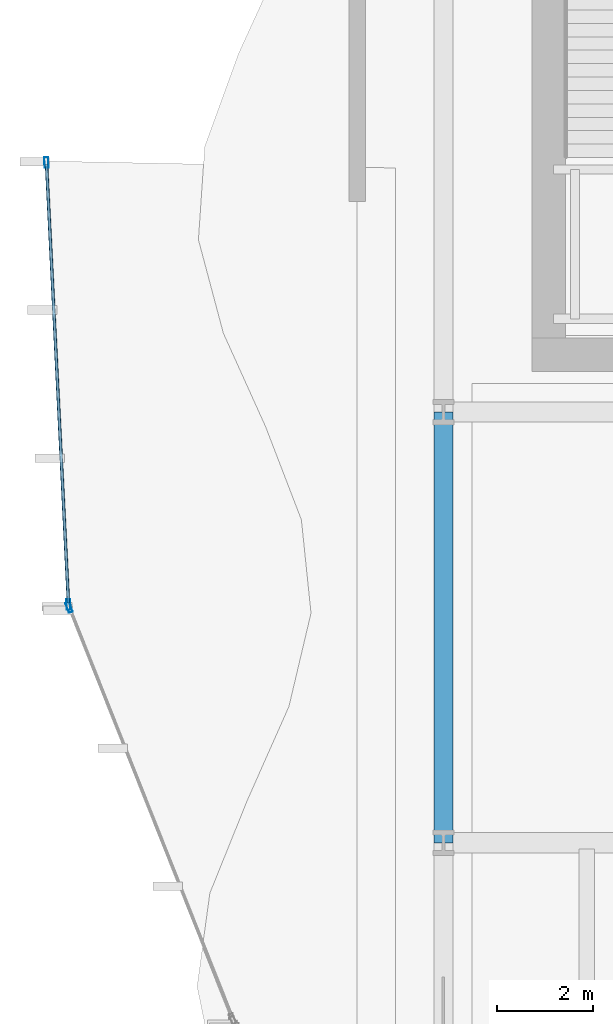
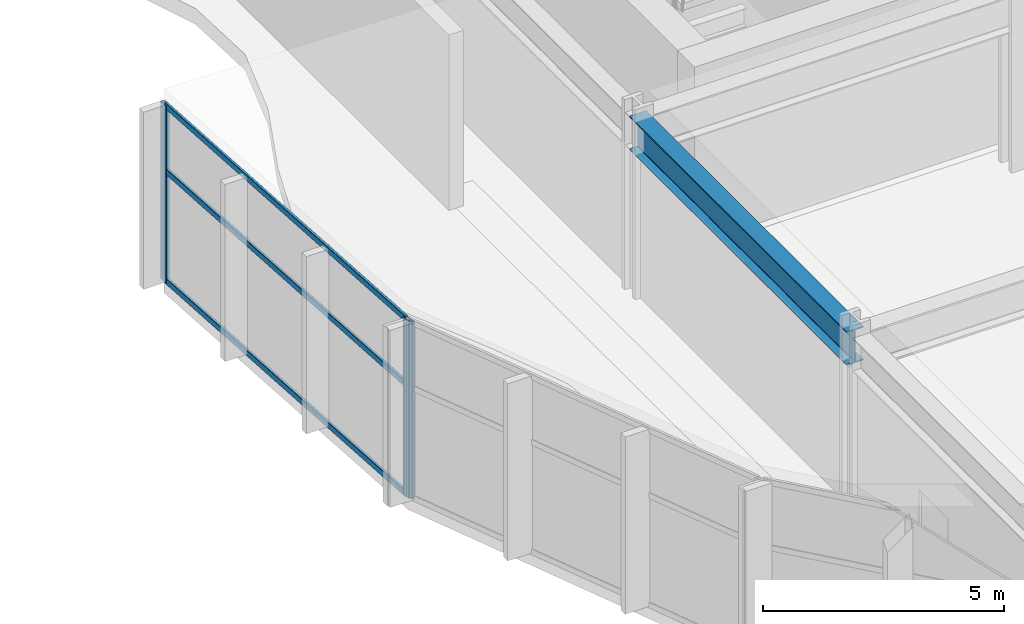
# One storey, part 5 of 29: 6 members, 1 beam, 2 elements without a shape of their own.
"""IFC4 building model written with IfcOpenShell, lengths in metres."""

from ifc_helpers import new_model, si_unit, direction, frame, origin, origin_2d, place, context, subcontext, project, spatial, hollow_rectangle, i_section, extrude, material, layer, layer_set, material_profile, profile_set, type_object, element, aggregate, save


model = new_model("IFC4")

# Units and contexts
model_context = context("Model", 3, precision=1e-05, world=origin(), true_north=direction((0.0, 1.0)))
body_context = subcontext(model_context, "Body", "Model", "MODEL_VIEW")
ifc_project = project(units=[si_unit("LENGTHUNIT", "METRE"), si_unit("AREAUNIT", "SQUARE_METRE"), si_unit("VOLUMEUNIT", "CUBIC_METRE"), si_unit("PLANEANGLEUNIT", "RADIAN"), si_unit("MASSUNIT", "GRAM", prefix="KILO")], contexts=[model_context])

# Site, building, storey
site_placement = place(None, origin())
site = spatial("IfcSite", under=ifc_project, at=site_placement, CompositionType="ELEMENT")
building_placement = place(site_placement, origin())
building = spatial("IfcBuilding", under=site, at=building_placement, Name="Solvaryn Broadcast Tower", CompositionType="ELEMENT")
storey_placement = place(building_placement, frame((0.0, 0.0, 21.199951171875)))
storey = spatial("IfcBuildingStorey", under=building, at=storey_placement, Name="L04", CompositionType="ELEMENT", Elevation=21.199951171875)

# Beam
ifc_material_1 = material(Name="Steel ASTM A992 Grade 50", Category="steel")
ifc_material_profile_1 = material_profile(ifc_material_1, i_section(OverallWidth=0.39990234375, OverallDepth=0.85498046875, WebThickness=0.018310546875, FlangeThickness=0.029296875, FilletRadius=0.02001953125, at=origin_2d()))
ifc_profile_set_1 = profile_set([ifc_material_profile_1], Name="Steel ASTM A992 Grade 50")
beam_type = type_object("IfcBeamType", Name="BM-G3-W33X201", PredefinedType="BEAM", material=ifc_profile_set_1)
beam_placement = place(storey_placement, frame((9.0, 18.0, 4.052490234375), z_axis=(0.0, 1.0, 0.0), x_axis=(-1.0, 0.0, 0.0)))
element("IfcBeam", 1, at=beam_placement, inside=storey, type_object=beam_type, Name="L04 Primary Beam Y (18-27 @ X=9)", PredefinedType="BEAM", context=body_context, shape_type="SweptSolid", body=[
    extrude(i_section(OverallWidth=0.39990234375, OverallDepth=0.85498046875, WebThickness=0.018310546875, FlangeThickness=0.029296875, FilletRadius=0.02001953125, at=origin_2d()), origin(), (0.0, 0.0, 1.0), 9.0),
])

# Curtain wall, members
ifc_material_2 = material(Name="Aluminium and Terracotta Unitised Curtain Wall", Category="masonry")
ifc_layer = layer(ifc_material_2, 0.219970703125)
ifc_layer_set = layer_set([ifc_layer], Name="CW-SYS1-PODIUM")
curtain_wall_type = type_object("IfcCurtainWallType", Name="CW-SYS1-PODIUM", PredefinedType="NOTDEFINED", material=ifc_layer_set)
curtain_wall_1_placement = place(storey_placement, origin())
curtain_wall_1 = element("IfcCurtainWall", 2, at=curtain_wall_1_placement, inside=storey, type_object=curtain_wall_type, Name="L04 Podium Curtain Wall DC1", PredefinedType="NOTDEFINED")
ifc_material_3 = material(Name="Anodised Aluminium 6063-T6", Category="aluminium")
ifc_material_profile_2 = material_profile(ifc_material_3, hollow_rectangle(XDim=0.0849609375, YDim=0.219970703125, WallThickness=0.0048828125, InnerFilletRadius=0.0048828125, OuterFilletRadius=0.010009765625, at=origin_2d()))
ifc_profile_set_2 = profile_set([ifc_material_profile_2], Name="Anodised Aluminium 6063-T6")
member_type_1 = type_object("IfcMemberType", Name="CW-MUL-220", PredefinedType="MULLION", material=ifc_profile_set_2)
member_1_placement = place(storey_placement, frame((0.70654296875, 32.215087890625, 0.0), z_axis=(0.0, 0.0, 1.0), x_axis=(0.998751535053, 0.049953690851, 0.0)))
member_1 = element("IfcMember", 3, at=member_1_placement, type_object=member_type_1, Name="CWS1 mullion 1", PredefinedType="MULLION", context=body_context, shape_type="SweptSolid", body=[
    extrude(hollow_rectangle(XDim=0.0849609375, YDim=0.219970703125, WallThickness=0.0048828125, InnerFilletRadius=0.0048828125, OuterFilletRadius=0.010009765625, at=origin_2d()), origin(), (0.0, 0.0, 1.0), 4.47998046875),
])
member_2_placement = place(storey_placement, frame((1.16845703125, 22.97802734375, 0.0), z_axis=(0.0, 0.0, 1.0), x_axis=(0.998751535053, 0.049953690851, 0.0)))
member_2 = element("IfcMember", 4, at=member_2_placement, type_object=member_type_1, Name="CWS1 mullion 2", PredefinedType="MULLION", context=body_context, shape_type="SweptSolid", body=[
    extrude(hollow_rectangle(XDim=0.0849609375, YDim=0.219970703125, WallThickness=0.0048828125, InnerFilletRadius=0.0048828125, OuterFilletRadius=0.010009765625, at=origin_2d()), origin(), (0.0, 0.0, 1.0), 4.47998046875),
])

# Curtain wall, member
curtain_wall_2_placement = place(storey_placement, origin())
curtain_wall_2 = element("IfcCurtainWall", 5, at=curtain_wall_2_placement, inside=storey, type_object=curtain_wall_type, Name="L04 Podium Curtain Wall DC2", PredefinedType="NOTDEFINED")
member_3_placement = place(storey_placement, frame((1.18115234375, 22.920166015625, 0.0), z_axis=(0.0, 0.0, 1.0), x_axis=(0.92928945897, 0.369352272833, 0.0)))
member_3 = element("IfcMember", 6, at=member_3_placement, type_object=member_type_1, Name="CWS1 mullion 1", PredefinedType="MULLION", context=body_context, shape_type="SweptSolid", body=[
    extrude(hollow_rectangle(XDim=0.0849609375, YDim=0.219970703125, WallThickness=0.0048828125, InnerFilletRadius=0.0048828125, OuterFilletRadius=0.010009765625, at=origin_2d()), origin(), (0.0, 0.0, 1.0), 4.47998046875),
])
aggregate(curtain_wall_2, [member_3])

# Member
ifc_material_4 = material(Name="Anodised Aluminium 6063-T6", Category="aluminium")
ifc_material_profile_3 = material_profile(ifc_material_4, hollow_rectangle(XDim=0.06494140625, YDim=0.14990234375, WallThickness=0.00390625, InnerFilletRadius=0.00390625, OuterFilletRadius=0.008056640625, at=origin_2d()))
ifc_profile_set_3 = profile_set([ifc_material_profile_3], Name="Anodised Aluminium 6063-T6")
member_type_2 = type_object("IfcMemberType", Name="CW-TRN-150", PredefinedType="USERDEFINED", material=ifc_profile_set_3)
member_4_placement = place(storey_placement, frame((0.7080078125, 32.18505859375, 0.030029296875), z_axis=(0.049950868616, -0.998751676206, 0.0), x_axis=(0.998751676206, 0.049950868616, 0.0)))
member_4 = element("IfcMember", 7, at=member_4_placement, type_object=member_type_2, Name="CWS1 transom 1.1", ObjectType="TRANSOM", PredefinedType="USERDEFINED", context=body_context, shape_type="SweptSolid", body=[
    extrude(hollow_rectangle(XDim=0.06494140625, YDim=0.14990234375, WallThickness=0.00390625, InnerFilletRadius=0.00390625, OuterFilletRadius=0.008056640625, at=origin_2d()), origin(), (0.0, 0.0, 1.0), 9.188720703125),
])

member_5_placement = place(storey_placement, frame((0.7080078125, 32.18505859375, 2.800048828125), z_axis=(0.049950868616, -0.998751676206, 0.0), x_axis=(0.998751676206, 0.049950868616, 0.0)))
member_5 = element("IfcMember", 8, at=member_5_placement, type_object=member_type_2, Name="CWS1 transom 1.2", ObjectType="TRANSOM", PredefinedType="USERDEFINED", context=body_context, shape_type="SweptSolid", body=[
    extrude(hollow_rectangle(XDim=0.06494140625, YDim=0.14990234375, WallThickness=0.00390625, InnerFilletRadius=0.00390625, OuterFilletRadius=0.008056640625, at=origin_2d()), origin(), (0.0, 0.0, 1.0), 9.188720703125),
])

member_6_placement = place(storey_placement, frame((0.7080078125, 32.18505859375, 4.449951171875), z_axis=(0.049950868616, -0.998751676206, 0.0), x_axis=(0.998751676206, 0.049950868616, 0.0)))
member_6 = element("IfcMember", 9, at=member_6_placement, type_object=member_type_2, Name="CWS1 transom 1.3", ObjectType="TRANSOM", PredefinedType="USERDEFINED", context=body_context, shape_type="SweptSolid", body=[
    extrude(hollow_rectangle(XDim=0.06494140625, YDim=0.14990234375, WallThickness=0.00390625, InnerFilletRadius=0.00390625, OuterFilletRadius=0.008056640625, at=origin_2d()), origin(), (0.0, 0.0, 1.0), 9.188720703125),
])

aggregate(curtain_wall_1, [member_1, member_2, member_4, member_5, member_6])

save(model, "model.ifc")
